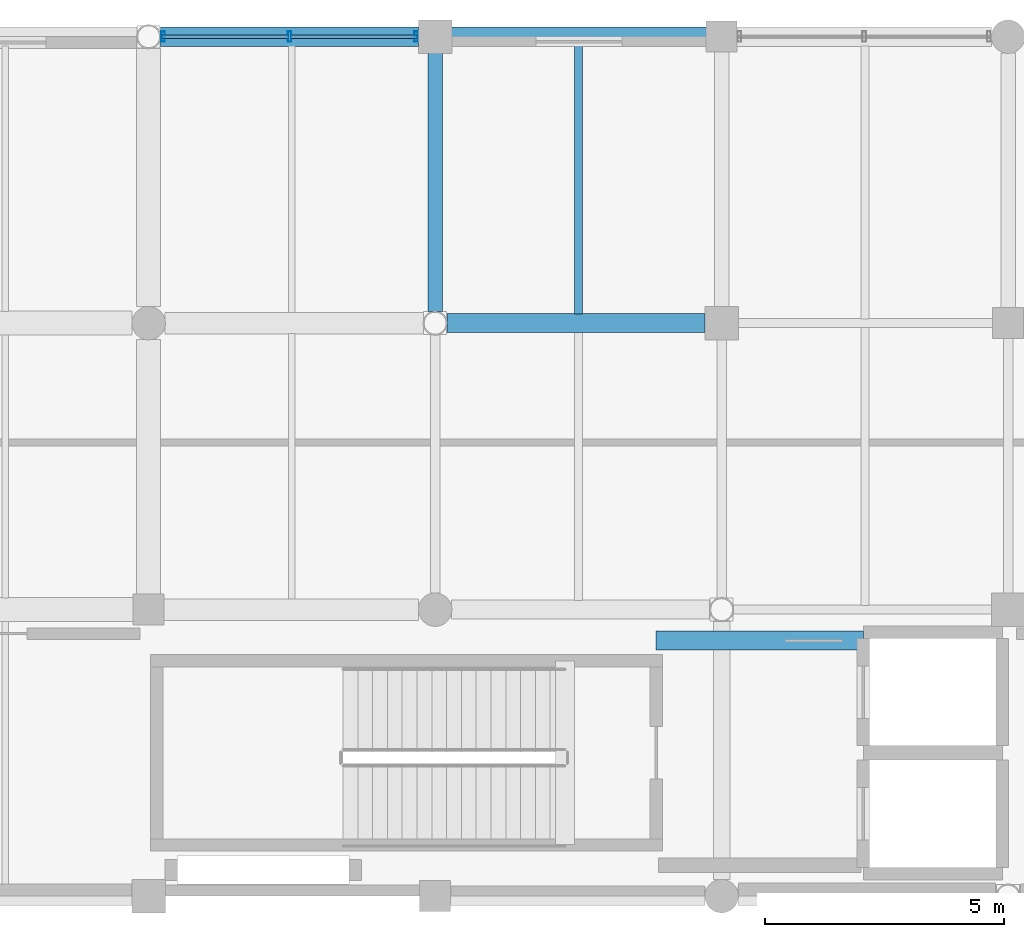
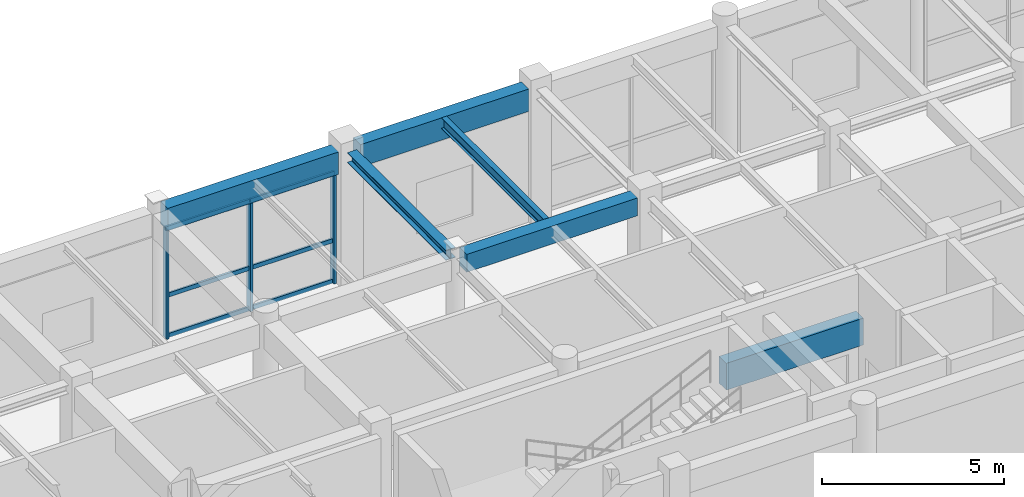
# One storey, part 78 of 123: 9 members, 6 beams, 1 element without a shape of its own.
"""IFC4 building model written with IfcOpenShell, lengths in metres."""

from ifc_helpers import new_model, si_unit, direction, frame, origin, origin_2d, place, context, subcontext, project, spatial, rectangle, hollow_rectangle, i_section, extrude, material, material_profile, profile_set, type_object, element, aggregate, save


model = new_model("IFC4")

# Units and contexts
model_context = context("Model", 3, precision=1e-05, world=origin(), true_north=direction((0.0, 1.0)))
body_context = subcontext(model_context, "Body", "Model", "MODEL_VIEW")
ifc_project = project(units=[si_unit("LENGTHUNIT", "METRE"), si_unit("AREAUNIT", "SQUARE_METRE"), si_unit("VOLUMEUNIT", "CUBIC_METRE"), si_unit("PLANEANGLEUNIT", "RADIAN"), si_unit("MASSUNIT", "GRAM", prefix="KILO"), si_unit("THERMODYNAMICTEMPERATUREUNIT", "KELVIN"), si_unit("POWERUNIT", "WATT")], contexts=[model_context])

# Site, building, storey
site_placement = place(None, origin())
site = spatial("IfcSite", under=ifc_project, at=site_placement, CompositionType="ELEMENT")
building_placement = place(site_placement, origin())
building = spatial("IfcBuilding", under=site, at=building_placement, Name="Phaisarnlok Congress Hotel", CompositionType="ELEMENT")
storey_placement = place(building_placement, frame((0.0, 0.0, 15.0)))
storey = spatial("IfcBuildingStorey", under=building, at=storey_placement, Name="L03", CompositionType="ELEMENT", Elevation=15.0)

# Beams
ifc_material_1 = material(Name="Concrete C40/50", Category="concrete")
ifc_material_profile_1 = material_profile(ifc_material_1, rectangle(XDim=0.39990234375, YDim=0.60009765625, at=origin_2d()), Name="RC 400x600")
ifc_profile_set_1 = profile_set([ifc_material_profile_1], Name="Concrete C40/50")
beam_type_1 = type_object("IfcBeamType", Name="BM-RC-400x600", PredefinedType="BEAM", material=ifc_profile_set_1)
beam_1_placement = place(storey_placement, frame((138.2490234375, 120.0, 4.14990234375), z_axis=(1.0, 0.0, 0.0), x_axis=(0.0, 1.0, 0.0)))
element("IfcBeam", 1, at=beam_1_placement, inside=storey, type_object=beam_type_1, Name="Beam B-02", PredefinedType="BEAM", context=body_context, shape_type="SweptSolid", body=[
    extrude(rectangle(XDim=0.39990234375, YDim=0.60009765625, at=origin_2d()), origin(), (0.0, 0.0, 1.0), 5.406005859375),
])
ifc_material_2 = material(Name="Steel S355", Category="steel")
ifc_material_profile_2 = material_profile(ifc_material_2, i_section(OverallWidth=0.300048828125, OverallDepth=0.340087890625, WebThickness=0.011962890625, FlangeThickness=0.021484375, FilletRadius=0.027099609375, at=origin_2d()), Name="HEB 340")
ifc_profile_set_2 = profile_set([ifc_material_profile_2], Name="Steel S355")
beam_type_2 = type_object("IfcBeamType", Name="BM-STL-HEB340", PredefinedType="BEAM", material=ifc_profile_set_2)
beam_2_placement = place(storey_placement, frame((138.0, 120.2490234375, 4.280029296875), z_axis=(0.0, 1.0, 0.0), x_axis=(-1.0, 0.0, 0.0)))
element("IfcBeam", 2, at=beam_2_placement, inside=storey, type_object=beam_type_2, Name="Beam SB-07", PredefinedType="BEAM", context=body_context, shape_type="SweptSolid", body=[
    extrude(i_section(OverallWidth=0.300048828125, OverallDepth=0.340087890625, WebThickness=0.011962890625, FlangeThickness=0.021484375, FilletRadius=0.027099609375, at=origin_2d()), origin(), (0.0, 0.0, 1.0), 5.406005859375),
])

# Curtain wall, members
ifc_material_3 = material(Name="Thermally Broken Unitised Aluminium & Low-E Glazing", Category="aluminium")
curtain_wall_type = type_object("IfcCurtainWallType", Name="CW-UNIT-31", PredefinedType="NOTDEFINED", material=ifc_material_3)
curtain_wall_placement = place(storey_placement, origin())
curtain_wall = element("IfcCurtainWall", 3, at=curtain_wall_placement, inside=storey, type_object=curtain_wall_type, Name="Unitised curtain wall CW-31 (L03)", PredefinedType="NOTDEFINED")
ifc_material_4 = material(Name="Anodised Aluminium Alloy 6063-T6", Category="aluminium")
ifc_material_profile_3 = material_profile(ifc_material_4, hollow_rectangle(XDim=0.074951171875, YDim=0.219970703125, WallThickness=0.0048828125, at=origin_2d()), Name="ALU-M 75x220x5")
ifc_profile_set_3 = profile_set([ifc_material_profile_3], Name="Anodised Aluminium Alloy 6063-T6")
member_type_1 = type_object("IfcMemberType", Name="CWM-220", PredefinedType="MULLION", material=ifc_profile_set_3)
member_1_placement = place(storey_placement, frame((137.60009765625, 126.0, 0.0), z_axis=(0.0, 0.0, 1.0), x_axis=(-1.0, 0.0, 0.0)))
member_1 = element("IfcMember", 4, at=member_1_placement, type_object=member_type_1, Name="Curtain wall mullion CWM-02", PredefinedType="MULLION", context=body_context, shape_type="SweptSolid", body=[
    extrude(hollow_rectangle(XDim=0.074951171875, YDim=0.219970703125, WallThickness=0.0048828125, at=origin_2d()), origin(), (0.0, 0.0, 1.0), 3.699951171875),
])
member_2_placement = place(storey_placement, frame((134.951904296875, 126.0, 0.0), z_axis=(0.0, 0.0, 1.0), x_axis=(-1.0, 0.0, 0.0)))
member_2 = element("IfcMember", 5, at=member_2_placement, type_object=member_type_1, Name="Curtain wall mullion CWM-02", PredefinedType="MULLION", context=body_context, shape_type="SweptSolid", body=[
    extrude(hollow_rectangle(XDim=0.074951171875, YDim=0.219970703125, WallThickness=0.0048828125, at=origin_2d()), origin(), (0.0, 0.0, 1.0), 3.699951171875),
])
member_3_placement = place(storey_placement, frame((132.303955078125, 126.0, 0.0), z_axis=(0.0, 0.0, 1.0), x_axis=(-1.0, 0.0, 0.0)))
member_3 = element("IfcMember", 6, at=member_3_placement, type_object=member_type_1, Name="Curtain wall mullion CWM-02", PredefinedType="MULLION", context=body_context, shape_type="SweptSolid", body=[
    extrude(hollow_rectangle(XDim=0.074951171875, YDim=0.219970703125, WallThickness=0.0048828125, at=origin_2d()), origin(), (0.0, 0.0, 1.0), 3.699951171875),
])
ifc_material_profile_4 = material_profile(ifc_material_4, hollow_rectangle(XDim=0.06494140625, YDim=0.139892578125, WallThickness=0.00390625, at=origin_2d()), Name="ALU-T 65x140x4")
ifc_profile_set_4 = profile_set([ifc_material_profile_4], Name="Anodised Aluminium Alloy 6063-T6")
member_type_2 = type_object("IfcMemberType", Name="CWT-150", PredefinedType="USERDEFINED", material=ifc_profile_set_4)
member_4_placement = place(storey_placement, frame((137.625, 126.0, 0.050048828125), z_axis=(-1.0, 0.0, 0.0), x_axis=(0.0, -1.0, 0.0)))
member_4 = element("IfcMember", 7, at=member_4_placement, type_object=member_type_2, Name="Curtain wall transom CWT-01", ObjectType="TRANSOM", PredefinedType="USERDEFINED", context=body_context, shape_type="SweptSolid", body=[
    extrude(hollow_rectangle(XDim=0.06494140625, YDim=0.139892578125, WallThickness=0.00390625, at=origin_2d()), origin(), (0.0, 0.0, 1.0), 2.657958984375),
])
member_5_placement = place(storey_placement, frame((137.625, 126.0, 1.406005859375), z_axis=(-1.0, 0.0, 0.0), x_axis=(0.0, -1.0, 0.0)))
member_5 = element("IfcMember", 8, at=member_5_placement, type_object=member_type_2, Name="Curtain wall transom CWT-01", ObjectType="TRANSOM", PredefinedType="USERDEFINED", context=body_context, shape_type="SweptSolid", body=[
    extrude(hollow_rectangle(XDim=0.06494140625, YDim=0.139892578125, WallThickness=0.00390625, at=origin_2d()), origin(), (0.0, 0.0, 1.0), 2.657958984375),
])
member_6_placement = place(storey_placement, frame((137.625, 126.0, 3.64990234375), z_axis=(-1.0, 0.0, 0.0), x_axis=(0.0, -1.0, 0.0)))
member_6 = element("IfcMember", 9, at=member_6_placement, type_object=member_type_2, Name="Curtain wall transom CWT-01", ObjectType="TRANSOM", PredefinedType="USERDEFINED", context=body_context, shape_type="SweptSolid", body=[
    extrude(hollow_rectangle(XDim=0.06494140625, YDim=0.139892578125, WallThickness=0.00390625, at=origin_2d()), origin(), (0.0, 0.0, 1.0), 2.657958984375),
])
member_7_placement = place(storey_placement, frame((134.93701171875, 126.0, 0.050048828125), z_axis=(-1.0, 0.0, 0.0), x_axis=(0.0, -1.0, 0.0)))
member_7 = element("IfcMember", 10, at=member_7_placement, type_object=member_type_2, Name="Curtain wall transom CWT-01", ObjectType="TRANSOM", PredefinedType="USERDEFINED", context=body_context, shape_type="SweptSolid", body=[
    extrude(hollow_rectangle(XDim=0.06494140625, YDim=0.139892578125, WallThickness=0.00390625, at=origin_2d()), origin(), (0.0, 0.0, 1.0), 2.657958984375),
])
member_8_placement = place(storey_placement, frame((134.93701171875, 126.0, 1.406005859375), z_axis=(-1.0, 0.0, 0.0), x_axis=(0.0, -1.0, 0.0)))
member_8 = element("IfcMember", 11, at=member_8_placement, type_object=member_type_2, Name="Curtain wall transom CWT-01", ObjectType="TRANSOM", PredefinedType="USERDEFINED", context=body_context, shape_type="SweptSolid", body=[
    extrude(hollow_rectangle(XDim=0.06494140625, YDim=0.139892578125, WallThickness=0.00390625, at=origin_2d()), origin(), (0.0, 0.0, 1.0), 2.657958984375),
])
member_9_placement = place(storey_placement, frame((134.93701171875, 126.0, 3.64990234375), z_axis=(-1.0, 0.0, 0.0), x_axis=(0.0, -1.0, 0.0)))
member_9 = element("IfcMember", 12, at=member_9_placement, type_object=member_type_2, Name="Curtain wall transom CWT-01", ObjectType="TRANSOM", PredefinedType="USERDEFINED", context=body_context, shape_type="SweptSolid", body=[
    extrude(hollow_rectangle(XDim=0.06494140625, YDim=0.139892578125, WallThickness=0.00390625, at=origin_2d()), origin(), (0.0, 0.0, 1.0), 2.657958984375),
])
aggregate(curtain_wall, [member_1, member_2, member_3, member_4, member_5, member_6, member_7, member_8, member_9])

# Beams
ifc_material_profile_5 = material_profile(ifc_material_2, i_section(OverallWidth=0.169921875, OverallDepth=0.360107421875, WebThickness=0.008056640625, FlangeThickness=0.0126953125, FilletRadius=0.01806640625, at=origin_2d()), Name="IPE 360")
ifc_profile_set_5 = profile_set([ifc_material_profile_5], Name="Steel S355")
beam_type_3 = type_object("IfcBeamType", Name="JS-STL-IPE360", PredefinedType="JOIST", material=ifc_profile_set_5)
beam_3_placement = place(storey_placement, frame((141.0, 120.195068359375, 4.27001953125), z_axis=(0.0, 1.0, 0.0), x_axis=(-1.0, 0.0, 0.0)))
element("IfcBeam", 13, at=beam_3_placement, inside=storey, type_object=beam_type_3, Name="Secondary floor joist J-04", PredefinedType="JOIST", context=body_context, shape_type="SweptSolid", body=[
    extrude(i_section(OverallWidth=0.169921875, OverallDepth=0.360107421875, WebThickness=0.008056640625, FlangeThickness=0.0126953125, FilletRadius=0.01806640625, at=origin_2d()), origin(), (0.0, 0.0, 1.0), 5.60986328125),
])
ifc_material_5 = material(Name="Concrete C50/60", Category="concrete")
ifc_material_profile_6 = material_profile(ifc_material_5, rectangle(XDim=0.39990234375, YDim=0.89990234375, at=origin_2d()), Name="RC 400x900")
ifc_profile_set_6 = profile_set([ifc_material_profile_6], Name="Concrete C50/60")
beam_type_4 = type_object("IfcBeamType", Name="LN-RC-400x900", PredefinedType="LINTEL", material=ifc_profile_set_6)
beam_4_placement = place(storey_placement, frame((142.6298828125, 113.35009765625, 2.85009765625), z_axis=(1.0, 0.0, 0.0), x_axis=(0.0, 1.0, 0.0)))
element("IfcBeam", 14, at=beam_4_placement, inside=storey, type_object=beam_type_4, Name="Core coupling lintel beam LN-01", PredefinedType="LINTEL", context=body_context, shape_type="SweptSolid", body=[
    extrude(rectangle(XDim=0.39990234375, YDim=0.89990234375, at=origin_2d()), origin(), (0.0, 0.0, 1.0), 4.340087890625),
])
ifc_material_profile_7 = material_profile(ifc_material_1, rectangle(XDim=0.39990234375, YDim=0.75, at=origin_2d()), Name="RC 400x750")
ifc_profile_set_7 = profile_set([ifc_material_profile_7], Name="Concrete C40/50")
beam_type_5 = type_object("IfcBeamType", Name="SP-RC-400x750", PredefinedType="SPANDREL", material=ifc_profile_set_7)
beam_5_placement = place(storey_placement, frame((132.2490234375, 126.0, 4.074951171875), z_axis=(1.0, 0.0, 0.0), x_axis=(0.0, 1.0, 0.0)))
element("IfcBeam", 15, at=beam_5_placement, inside=storey, type_object=beam_type_5, Name="Beam SP-02", PredefinedType="SPANDREL", context=body_context, shape_type="SweptSolid", body=[
    extrude(rectangle(XDim=0.39990234375, YDim=0.75, at=origin_2d()), origin(), (0.0, 0.0, 1.0), 5.406005859375),
])
beam_6_placement = place(storey_placement, frame((138.344970703125, 126.0, 4.074951171875), z_axis=(1.0, 0.0, 0.0), x_axis=(0.0, 1.0, 0.0)))
element("IfcBeam", 16, at=beam_6_placement, inside=storey, type_object=beam_type_5, Name="Beam SP-02", PredefinedType="SPANDREL", context=body_context, shape_type="SweptSolid", body=[
    extrude(rectangle(XDim=0.39990234375, YDim=0.75, at=origin_2d()), origin(), (0.0, 0.0, 1.0), 5.3349609375),
])

save(model, "model.ifc")
